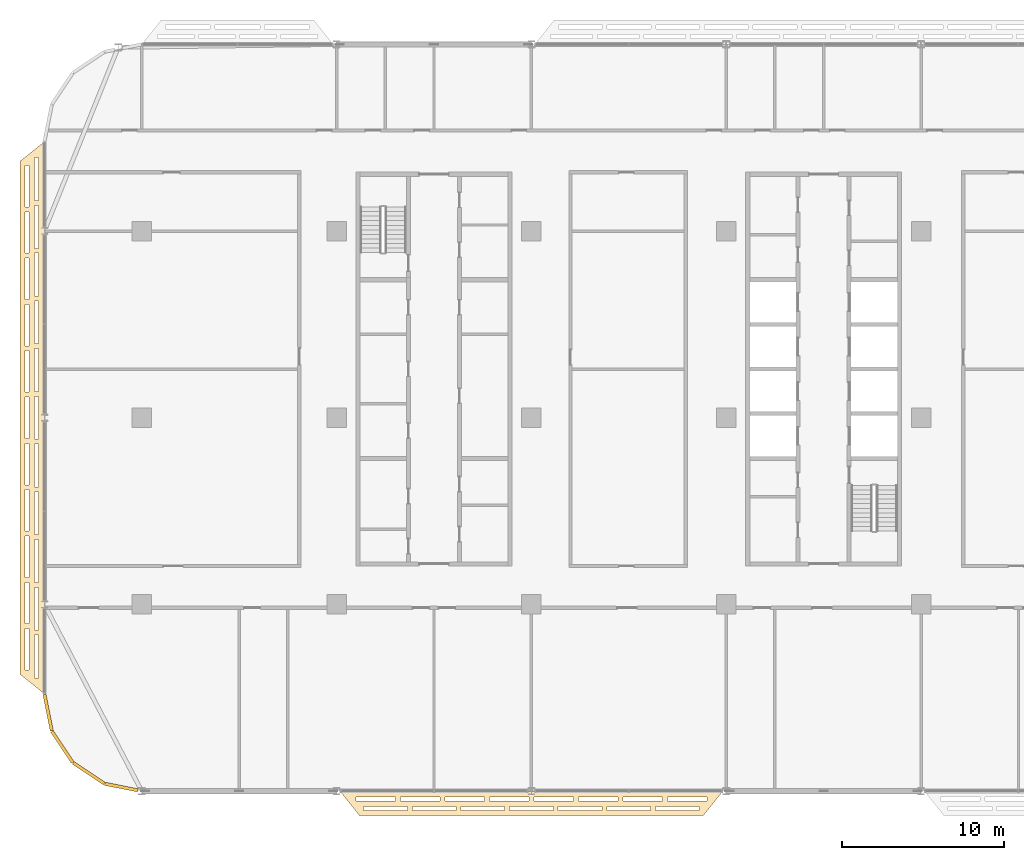
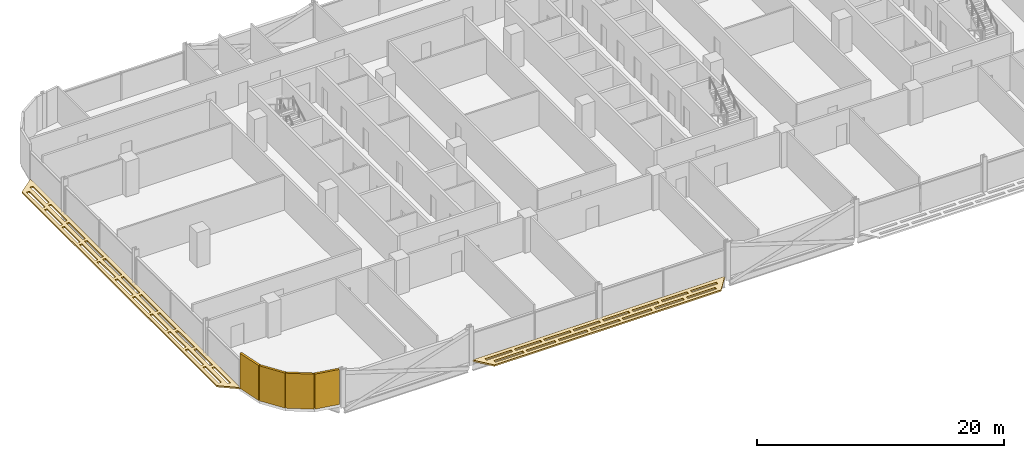
# One storey, part 22 of 27: 6 coverings.
"""IFC4 building model written with IfcOpenShell, lengths in metres."""

from ifc_helpers import new_model, si_unit, direction, frame, origin, origin_2d, place, context, subcontext, project, spatial, polyline, rectangle, outline, extrude, material, layer, layer_set, type_object, element, save


model = new_model("IFC4")

# Units and contexts
model_context = context("Model", 3, precision=1e-05, world=origin(), true_north=direction((0.0, 1.0)))
body_context = subcontext(model_context, "Body", "Model", "MODEL_VIEW")
ifc_project = project(units=[si_unit("LENGTHUNIT", "METRE"), si_unit("AREAUNIT", "SQUARE_METRE"), si_unit("VOLUMEUNIT", "CUBIC_METRE"), si_unit("PLANEANGLEUNIT", "RADIAN"), si_unit("MASSUNIT", "GRAM", prefix="KILO")], contexts=[model_context])

# Site, building, storey
site_placement = place(None, origin())
site = spatial("IfcSite", under=ifc_project, at=site_placement, CompositionType="ELEMENT")
building_placement = place(site_placement, origin())
building = spatial("IfcBuilding", under=site, at=building_placement, Name="Mahtab Terrace Research Tower", CompositionType="ELEMENT")
storey_placement = place(building_placement, frame((0.0, 0.0, 170.60009765625)))
storey = spatial("IfcBuildingStorey", under=building, at=storey_placement, Name="L40", CompositionType="ELEMENT", Elevation=170.60009765625)

# Coverings
ifc_material_1 = material(Name="Black aluminium cladding panel", Category="aluminium")
ifc_layer_1 = layer(ifc_material_1, 0.199951171875)
ifc_layer_set_1 = layer_set([ifc_layer_1], Name="Black metal corner cladding 200")
covering_type_1 = type_object("IfcCoveringType", Name="Black metal corner cladding 200", PredefinedType="CLADDING", material=ifc_layer_set_1)
for number, where, z_axis, x_axis, name in (
    (1, (-47.771484375, -18.14794921875, 0.0), (0.0, 0.0, 1.0), (0.195212442692, -0.980760981187, 0.0), "Corner cladding L40 19"),
    (2, (-46.89306640625, -20.26953125, 0.0), (0.0, 0.0, 1.0), (0.555291490808, -0.831655794326, 0.0), "Corner cladding L40 20"),
    (3, (-45.26953125, -21.89306640625, 0.0), (0.0, 0.0, 1.0), (0.831655794326, -0.555291490808, 0.0), "Corner cladding L40 21"),
):
    element("IfcCovering", number, at=place(storey_placement, frame(where, z_axis=z_axis, x_axis=x_axis)), inside=storey, type_object=covering_type_1, Name=name, PredefinedType="CLADDING", context=body_context, shape_type="SweptSolid", body=[
        extrude(rectangle(XDim=2.30126953125, YDim=0.199951171875, at=origin_2d()), origin(), (0.0, 0.0, 1.0), 3.4599609375),
    ])
covering_1_placement = place(storey_placement, frame((-43.25830078125, -22.74951171875, 0.0), z_axis=(0.0, 0.0, 1.0), x_axis=(0.980760981187, -0.195212442692, 0.0)))
element("IfcCovering", 4, at=covering_1_placement, inside=storey, type_object=covering_type_1, Name="Corner cladding L40 22", PredefinedType="CLADDING", context=body_context, shape_type="SweptSolid", body=[
    extrude(rectangle(XDim=2.07666015625, YDim=0.199951171875, at=origin_2d()), origin(), (0.0, 0.0, 1.0), 3.4599609375),
])
ifc_material_2 = material(Name="Black anodised aluminium", Category="aluminium")
ifc_layer_2 = layer(ifc_material_2, 0.14990234375)
ifc_layer_set_2 = layer_set([ifc_layer_2], Name="Horizontal sunshade band")
covering_type_2 = type_object("IfcCoveringType", Name="Horizontal sunshade band", PredefinedType="CLADDING", material=ifc_layer_set_2)
covering_2_placement = place(storey_placement, frame((0.0, 0.0, -0.150146484375)))
element("IfcCovering", 5, at=covering_2_placement, inside=storey, type_object=covering_type_2, Name="Sunshade band L40 15", PredefinedType="CLADDING", context=body_context, shape_type="SweptSolid", body=[
    extrude(outline(polyline([(-48.0, 17.0), (-48.0, -17.0), (-49.5, -15.800048828125), (-49.5, 15.800048828125), (-48.0, 17.0)]), holes=[polyline([(-48.35009765625, 16.02001953125), (-48.35009765625, 13.3798828125), (-48.60009765625, 13.3798828125), (-48.60009765625, 16.02001953125), (-48.35009765625, 16.02001953125)]), polyline([(-48.35009765625, 13.080078125), (-48.35009765625, 10.43994140625), (-48.60009765625, 10.43994140625), (-48.60009765625, 13.080078125), (-48.35009765625, 13.080078125)]), polyline([(-48.35009765625, 10.139892578125), (-48.35009765625, 7.5), (-48.60009765625, 7.5), (-48.60009765625, 10.139892578125), (-48.35009765625, 10.139892578125)]), polyline([(-48.35009765625, 7.199951171875), (-48.35009765625, 4.56005859375), (-48.60009765625, 4.56005859375), (-48.60009765625, 7.199951171875), (-48.35009765625, 7.199951171875)]), polyline([(-48.35009765625, 4.260009765625), (-48.35009765625, 1.6201171875), (-48.60009765625, 1.6201171875), (-48.60009765625, 4.260009765625), (-48.35009765625, 4.260009765625)]), polyline([(-48.35009765625, 1.320068359375), (-48.35009765625, -1.320068359375), (-48.60009765625, -1.320068359375), (-48.60009765625, 1.320068359375), (-48.35009765625, 1.320068359375)]), polyline([(-48.35009765625, -1.6201171875), (-48.35009765625, -4.260009765625), (-48.60009765625, -4.260009765625), (-48.60009765625, -1.6201171875), (-48.35009765625, -1.6201171875)]), polyline([(-48.35009765625, -4.56005859375), (-48.35009765625, -7.199951171875), (-48.60009765625, -7.199951171875), (-48.60009765625, -4.56005859375), (-48.35009765625, -4.56005859375)]), polyline([(-48.35009765625, -7.5), (-48.35009765625, -10.139892578125), (-48.60009765625, -10.139892578125), (-48.60009765625, -7.5), (-48.35009765625, -7.5)]), polyline([(-48.35009765625, -10.43994140625), (-48.35009765625, -13.080078125), (-48.60009765625, -13.080078125), (-48.60009765625, -10.43994140625), (-48.35009765625, -10.43994140625)]), polyline([(-48.35009765625, -13.3798828125), (-48.35009765625, -16.02001953125), (-48.60009765625, -16.02001953125), (-48.60009765625, -13.3798828125), (-48.35009765625, -13.3798828125)]), polyline([(-48.949951171875, 15.5400390625), (-48.949951171875, 12.987060546875), (-49.199951171875, 12.987060546875), (-49.199951171875, 15.5400390625), (-48.949951171875, 15.5400390625)]), polyline([(-48.949951171875, 12.68701171875), (-48.949951171875, 10.135009765625), (-49.199951171875, 10.135009765625), (-49.199951171875, 12.68701171875), (-48.949951171875, 12.68701171875)]), polyline([(-48.949951171875, 9.8349609375), (-48.949951171875, 7.281982421875), (-49.199951171875, 7.281982421875), (-49.199951171875, 9.8349609375), (-48.949951171875, 9.8349609375)]), polyline([(-48.949951171875, 6.98193359375), (-48.949951171875, 4.428955078125), (-49.199951171875, 4.428955078125), (-49.199951171875, 6.98193359375), (-48.949951171875, 6.98193359375)]), polyline([(-48.949951171875, 4.12890625), (-48.949951171875, 1.575927734375), (-49.199951171875, 1.575927734375), (-49.199951171875, 4.12890625), (-48.949951171875, 4.12890625)]), polyline([(-48.949951171875, 1.27587890625), (-48.949951171875, -1.27587890625), (-49.199951171875, -1.27587890625), (-49.199951171875, 1.27587890625), (-48.949951171875, 1.27587890625)]), polyline([(-48.949951171875, -1.575927734375), (-48.949951171875, -4.12890625), (-49.199951171875, -4.12890625), (-49.199951171875, -1.575927734375), (-48.949951171875, -1.575927734375)]), polyline([(-48.949951171875, -4.428955078125), (-48.949951171875, -6.98193359375), (-49.199951171875, -6.98193359375), (-49.199951171875, -4.428955078125), (-48.949951171875, -4.428955078125)]), polyline([(-48.949951171875, -7.281982421875), (-48.949951171875, -9.8349609375), (-49.199951171875, -9.8349609375), (-49.199951171875, -7.281982421875), (-48.949951171875, -7.281982421875)]), polyline([(-48.949951171875, -10.135009765625), (-48.949951171875, -12.68701171875), (-49.199951171875, -12.68701171875), (-49.199951171875, -10.135009765625), (-48.949951171875, -10.135009765625)]), polyline([(-48.949951171875, -12.987060546875), (-48.949951171875, -15.5400390625), (-49.199951171875, -15.5400390625), (-49.199951171875, -12.987060546875), (-48.949951171875, -12.987060546875)])]), origin(), (0.0, 0.0, 1.0), 0.150146484375),
])
covering_3_placement = place(storey_placement, frame((0.0, 0.0, -0.150146484375)))
element("IfcCovering", 6, at=covering_3_placement, inside=storey, type_object=covering_type_2, Name="Sunshade band L40 24", PredefinedType="CLADDING", context=body_context, shape_type="SweptSolid", body=[
    extrude(outline(polyline([(-29.7919921875, -23.0), (-6.2080078125, -23.0), (-7.407958984375, -24.5), (-28.592041015625, -24.5), (-29.7919921875, -23.0)]), holes=[polyline([(-28.81201171875, -23.35009765625), (-26.3720703125, -23.35009765625), (-26.3720703125, -23.60009765625), (-28.81201171875, -23.60009765625), (-28.81201171875, -23.35009765625)]), polyline([(-26.072021484375, -23.35009765625), (-23.631103515625, -23.35009765625), (-23.631103515625, -23.60009765625), (-26.072021484375, -23.60009765625), (-26.072021484375, -23.35009765625)]), polyline([(-23.3310546875, -23.35009765625), (-20.889892578125, -23.35009765625), (-20.889892578125, -23.60009765625), (-23.3310546875, -23.60009765625), (-23.3310546875, -23.35009765625)]), polyline([(-20.590087890625, -23.35009765625), (-18.14990234375, -23.35009765625), (-18.14990234375, -23.60009765625), (-20.590087890625, -23.60009765625), (-20.590087890625, -23.35009765625)]), polyline([(-17.85009765625, -23.35009765625), (-15.409912109375, -23.35009765625), (-15.409912109375, -23.60009765625), (-17.85009765625, -23.60009765625), (-17.85009765625, -23.35009765625)]), polyline([(-15.10888671875, -23.35009765625), (-12.6689453125, -23.35009765625), (-12.6689453125, -23.60009765625), (-15.10888671875, -23.60009765625), (-15.10888671875, -23.35009765625)]), polyline([(-12.368896484375, -23.35009765625), (-9.927978515625, -23.35009765625), (-9.927978515625, -23.60009765625), (-12.368896484375, -23.60009765625), (-12.368896484375, -23.35009765625)]), polyline([(-9.62890625, -23.35009765625), (-7.18798828125, -23.35009765625), (-7.18798828125, -23.60009765625), (-9.62890625, -23.60009765625), (-9.62890625, -23.35009765625)]), polyline([(-28.33203125, -23.949951171875), (-25.636962890625, -23.949951171875), (-25.636962890625, -24.199951171875), (-28.33203125, -24.199951171875), (-28.33203125, -23.949951171875)]), polyline([(-25.3369140625, -23.949951171875), (-22.64208984375, -23.949951171875), (-22.64208984375, -24.199951171875), (-25.3369140625, -24.199951171875), (-25.3369140625, -23.949951171875)]), polyline([(-22.342041015625, -23.949951171875), (-19.64697265625, -23.949951171875), (-19.64697265625, -24.199951171875), (-22.342041015625, -24.199951171875), (-22.342041015625, -23.949951171875)]), polyline([(-19.346923828125, -23.949951171875), (-16.653076171875, -23.949951171875), (-16.653076171875, -24.199951171875), (-19.346923828125, -24.199951171875), (-19.346923828125, -23.949951171875)]), polyline([(-16.35302734375, -23.949951171875), (-13.657958984375, -23.949951171875), (-13.657958984375, -24.199951171875), (-16.35302734375, -24.199951171875), (-16.35302734375, -23.949951171875)]), polyline([(-13.35791015625, -23.949951171875), (-10.6630859375, -23.949951171875), (-10.6630859375, -24.199951171875), (-13.35791015625, -24.199951171875), (-13.35791015625, -23.949951171875)]), polyline([(-10.363037109375, -23.949951171875), (-7.66796875, -23.949951171875), (-7.66796875, -24.199951171875), (-10.363037109375, -24.199951171875), (-10.363037109375, -23.949951171875)])]), origin(), (0.0, 0.0, 1.0), 0.150146484375),
])

save(model, "model.ifc")
